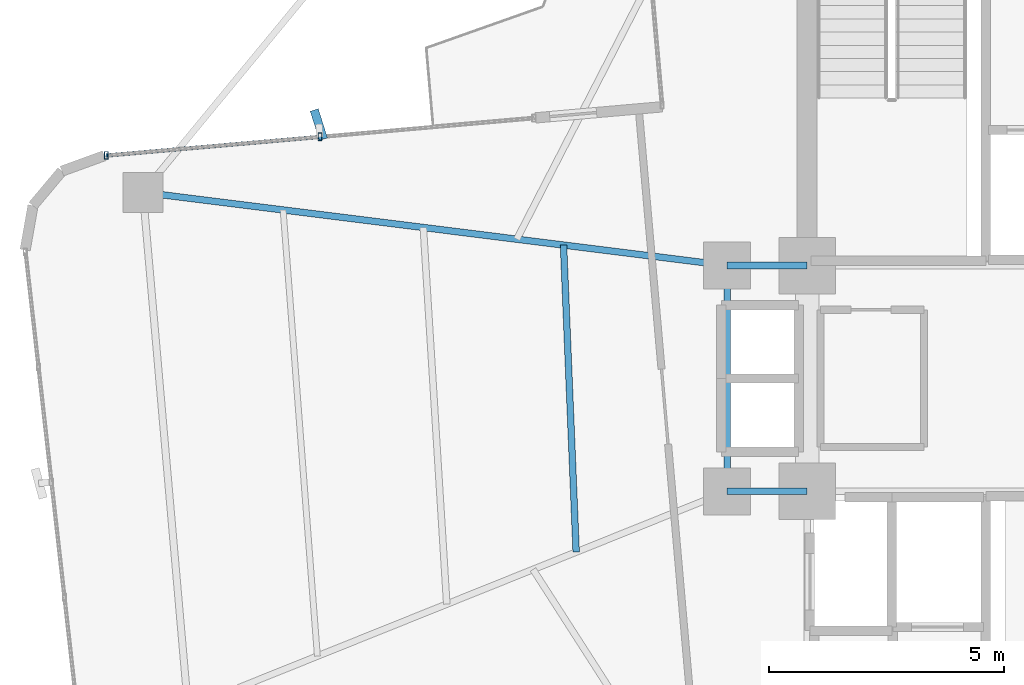
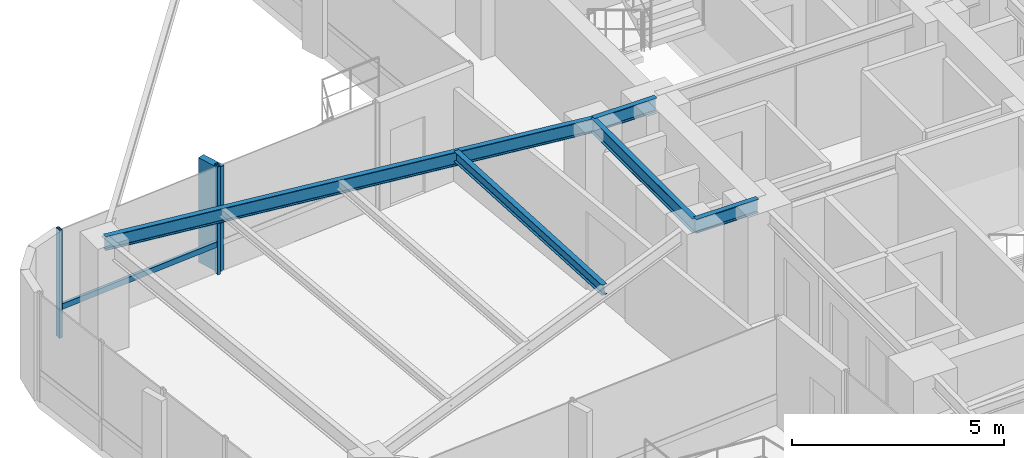
# One storey, part 9 of 24: 5 beams, 4 members, 1 element without a shape of its own.
"""IFC4 building model written with IfcOpenShell, lengths in metres."""

from ifc_helpers import new_model, si_unit, direction, frame, origin, origin_2d, place, context, subcontext, project, spatial, rectangle, hollow_rectangle, i_section, extrude, source, transform, mapped, material, material_profile, profile_set, type_object, element, aggregate, save


model = new_model("IFC4")

# Units and contexts
model_context = context("Model", 3, precision=1e-05, world=origin(), true_north=direction((0.0, 1.0)))
body_context = subcontext(model_context, "Body", "Model", "MODEL_VIEW")
ifc_project = project(units=[si_unit("LENGTHUNIT", "METRE"), si_unit("AREAUNIT", "SQUARE_METRE"), si_unit("VOLUMEUNIT", "CUBIC_METRE"), si_unit("PLANEANGLEUNIT", "RADIAN"), si_unit("MASSUNIT", "GRAM", prefix="KILO")], contexts=[model_context])

# Site, building, storey
site_placement = place(None, origin())
site = spatial("IfcSite", under=ifc_project, at=site_placement, CompositionType="ELEMENT")
building_placement = place(site_placement, origin())
building = spatial("IfcBuilding", under=site, at=building_placement, Name="Sahyath Konkavel Grand Hotel", CompositionType="ELEMENT")
storey_placement = place(building_placement, frame((0.0, 0.0, 150.60009765625)))
storey = spatial("IfcBuildingStorey", under=building, at=storey_placement, Name="L41", CompositionType="ELEMENT", Elevation=150.60009765625)

# Beams
ifc_material_1 = material(Name="Steel E350", Category="steel")
ifc_material_profile_1 = material_profile(ifc_material_1, i_section(OverallWidth=0.139892578125, OverallDepth=0.39990234375, WebThickness=0.0087890625, FlangeThickness=0.01611328125, FilletRadius=0.013916015625, at=origin_2d()), Name="ISMB 400")
ifc_profile_set_1 = profile_set([ifc_material_profile_1], Name="Steel E350")
beam_type_1 = type_object("IfcBeamType", Name="BM-ISMB400", PredefinedType="BEAM", material=ifc_profile_set_1)
shared_shape_1 = source(origin(), body_context, "Body", "SweptSolid", [
    extrude(i_section(OverallWidth=0.139892578125, OverallDepth=0.39990234375, WebThickness=0.0087890625, FlangeThickness=0.01611328125, FilletRadius=0.013916015625, at=origin_2d()), origin(), (0.0, 0.0, 1.0), 1.699951171875),
])
for number, where, z_axis, x_axis, name in (
    (1, (-5.5, 2.39990234375, 2.909912109375), (1.0, 0.0, 0.0), (0.0, 1.0, 0.0), "str:bm:L41:HB-NW"),
    (2, (-5.5, -2.39990234375, 2.909912109375), (1.0, 0.0, 0.0), (0.0, 1.0, 0.0), "str:bm:L41:HB-SW"),
):
    element("IfcBeam", number, at=place(storey_placement, frame(where, z_axis=z_axis, x_axis=x_axis)), inside=storey, type_object=beam_type_1, Name=name, PredefinedType="BEAM", context=body_context, shape_type="MappedRepresentation", body=[
        mapped(shared_shape_1, transform((0.0, 0.0, 0.0), scale=1.0)),
    ])
shared_shape_2 = source(origin(), body_context, "Body", "SweptSolid", [
    extrude(i_section(OverallWidth=0.139892578125, OverallDepth=0.39990234375, WebThickness=0.0087890625, FlangeThickness=0.01611328125, FilletRadius=0.013916015625, at=origin_2d()), origin(), (0.0, 0.0, 1.0), 4.7998046875),
])
beam_1_placement = place(storey_placement, frame((-5.5, -2.39990234375, 2.909912109375), z_axis=(0.0, 1.0, 0.0), x_axis=(-1.0, 0.0, 0.0)))
element("IfcBeam", 3, at=beam_1_placement, inside=storey, type_object=beam_type_1, Name="str:bm:L41:HB-W", PredefinedType="BEAM", context=body_context, shape_type="MappedRepresentation", body=[
    mapped(shared_shape_2, transform((0.0, 0.0, 0.0), scale=1.0)),
])
shared_shape_3 = source(origin(), body_context, "Body", "SweptSolid", [
    extrude(i_section(OverallWidth=0.139892578125, OverallDepth=0.39990234375, WebThickness=0.0087890625, FlangeThickness=0.01611328125, FilletRadius=0.013916015625, at=origin_2d()), origin(), (0.0, 0.0, 1.0), 12.509765625),
])
beam_2_placement = place(storey_placement, frame((-5.5, 2.39990234375, 2.909912109375), z_axis=(-0.992254740459, 0.124219684578, 0.0), x_axis=(-0.124219684578, -0.992254740459, 0.0)))
element("IfcBeam", 4, at=beam_2_placement, inside=storey, type_object=beam_type_1, Name="L41 Cruciform Radial Girder WA", PredefinedType="BEAM", context=body_context, shape_type="MappedRepresentation", body=[
    mapped(shared_shape_3, transform((0.0, 0.0, 0.0), scale=1.0)),
])
ifc_material_profile_2 = material_profile(ifc_material_1, i_section(OverallWidth=0.139892578125, OverallDepth=0.300048828125, WebThickness=0.0078125, FlangeThickness=0.01318359375, FilletRadius=0.013916015625, at=origin_2d()), Name="ISMB 300")
ifc_profile_set_2 = profile_set([ifc_material_profile_2], Name="Steel E350")
beam_type_2 = type_object("IfcBeamType", Name="BM-ISMB300", PredefinedType="BEAM", material=ifc_profile_set_2)
shared_shape_4 = source(origin(), body_context, "Body", "SweptSolid", [
    extrude(i_section(OverallWidth=0.139892578125, OverallDepth=0.300048828125, WebThickness=0.0078125, FlangeThickness=0.01318359375, FilletRadius=0.013916015625, at=origin_2d()), origin(), (0.0, 0.0, 1.0), 6.530029296875),
])
beam_3_placement = place(storey_placement, frame((-8.9755859375, 2.835205078125, 2.9599609375), z_axis=(0.04112667768, -0.999153940283, 0.0), x_axis=(0.999153940283, 0.04112667768, 0.0)))
element("IfcBeam", 5, at=beam_3_placement, inside=storey, type_object=beam_type_2, Name="L41 Secondary Floor Beam W-1", PredefinedType="BEAM", context=body_context, shape_type="MappedRepresentation", body=[
    mapped(shared_shape_4, transform((0.0, 0.0, 0.0), scale=1.0)),
])

# Curtain wall, members
ifc_material_2 = material(Name="Anodised Bronze Aluminium & Low-E Glazing", Category="aluminium")
curtain_wall_type = type_object("IfcCurtainWallType", Name="CW-ZONE3", PredefinedType="NOTDEFINED", material=ifc_material_2)
curtain_wall_placement = place(storey_placement, origin())
curtain_wall = element("IfcCurtainWall", 6, at=curtain_wall_placement, inside=storey, type_object=curtain_wall_type, Name="L41 Unitised Curtain Wall F16", PredefinedType="NOTDEFINED")
ifc_material_3 = material(Name="Anodised Bronze Aluminium", Category="aluminium")
ifc_material_profile_3 = material_profile(ifc_material_3, hollow_rectangle(XDim=0.080078125, YDim=0.159912109375, WallThickness=0.006103515625, at=origin_2d()), Name="RHS 160x80x6")
ifc_profile_set_3 = profile_set([ifc_material_profile_3], Name="Anodised Bronze Aluminium")
member_type_1 = type_object("IfcMemberType", Name="CW-MUL-160", PredefinedType="MULLION", material=ifc_profile_set_3)
shared_shape_5 = source(origin(), body_context, "Body", "SweptSolid", [
    extrude(hollow_rectangle(XDim=0.080078125, YDim=0.159912109375, WallThickness=0.006103515625, at=origin_2d()), origin(), (0.0, 0.0, 1.0), 3.10986328125),
])
member_1_placement = place(storey_placement, frame((-14.151611328125, 5.135986328125, 0.0), z_axis=(0.0, 0.0, 1.0), x_axis=(1.0, 0.0, 0.0)))
member_1 = element("IfcMember", 7, at=member_1_placement, type_object=member_type_1, Name="L41 Curtain Wall Mullion F16-1", PredefinedType="MULLION", context=body_context, shape_type="MappedRepresentation", body=[
    mapped(shared_shape_5, transform((0.0, 0.0, 0.0), scale=1.0)),
])
member_2_placement = place(storey_placement, frame((-18.694091796875, 4.73876953125, 0.0), z_axis=(0.0, 0.0, 1.0), x_axis=(1.0, 0.0, 0.0)))
member_2 = element("IfcMember", 8, at=member_2_placement, type_object=member_type_1, Name="L41 Curtain Wall Mullion F16-2", PredefinedType="MULLION", context=body_context, shape_type="MappedRepresentation", body=[
    mapped(shared_shape_5, transform((0.0, 0.0, 0.0), scale=1.0)),
])
ifc_material_4 = material(Name="Warm Buff Sandstone Cladding on Concrete C50/60", Category="masonry")
ifc_material_profile_4 = material_profile(ifc_material_4, rectangle(XDim=0.179931640625, YDim=0.64990234375, at=origin_2d()), Name="FIN 180x650")
ifc_profile_set_4 = profile_set([ifc_material_profile_4], Name="Warm Buff Sandstone Cladding on Concrete C50/60")
member_type_2 = type_object("IfcMemberType", Name="FIN-SANDSTONE-650", PredefinedType="MULLION", material=ifc_profile_set_4)
shared_shape_6 = source(origin(), body_context, "Body", "SweptSolid", [
    extrude(rectangle(XDim=0.179931640625, YDim=0.64990234375, at=origin_2d()), origin(), (0.0, 0.0, 1.0), 3.010009765625),
])
member_3_placement = place(storey_placement, frame((-14.17431640625, 5.39501953125, 0.0498046875), z_axis=(0.0, 0.0, 1.0), x_axis=(0.953348857629, 0.301870759858, 0.0)))
member_3 = element("IfcMember", 9, at=member_3_placement, type_object=member_type_2, Name="L41 Sandstone Vertical Solar Fin FIN F16-1", PredefinedType="MULLION", context=body_context, shape_type="MappedRepresentation", body=[
    mapped(shared_shape_6, transform((0.0, 0.0, 0.0), scale=1.0)),
])
ifc_material_profile_5 = material_profile(ifc_material_3, hollow_rectangle(XDim=0.080078125, YDim=0.159912109375, WallThickness=0.006103515625, at=origin_2d()), Name="RHS 160x80x6")
ifc_profile_set_5 = profile_set([ifc_material_profile_5], Name="Anodised Bronze Aluminium")
member_type_3 = type_object("IfcMemberType", Name="CW-TRN-160", PredefinedType="USERDEFINED", material=ifc_profile_set_5)
shared_shape_7 = source(origin(), body_context, "Body", "SweptSolid", [
    extrude(hollow_rectangle(XDim=0.080078125, YDim=0.159912109375, WallThickness=0.006103515625, at=origin_2d()), origin(), (0.0, 0.0, 1.0), 4.559814453125),
])
member_4_placement = place(storey_placement, frame((-14.151611328125, 5.135986328125, 0.849853515625), z_axis=(-0.99619848155, -0.087112486804, 0.0), x_axis=(0.087112486804, -0.99619848155, 0.0)))
member_4 = element("IfcMember", 10, at=member_4_placement, type_object=member_type_3, Name="L41 Curtain Wall Transom F16-1-spandrel", ObjectType="TRANSOM", PredefinedType="USERDEFINED", context=body_context, shape_type="MappedRepresentation", body=[
    mapped(shared_shape_7, transform((0.0, 0.0, 0.0), scale=1.0)),
])
aggregate(curtain_wall, [member_1, member_3, member_2, member_4])

save(model, "model.ifc")
